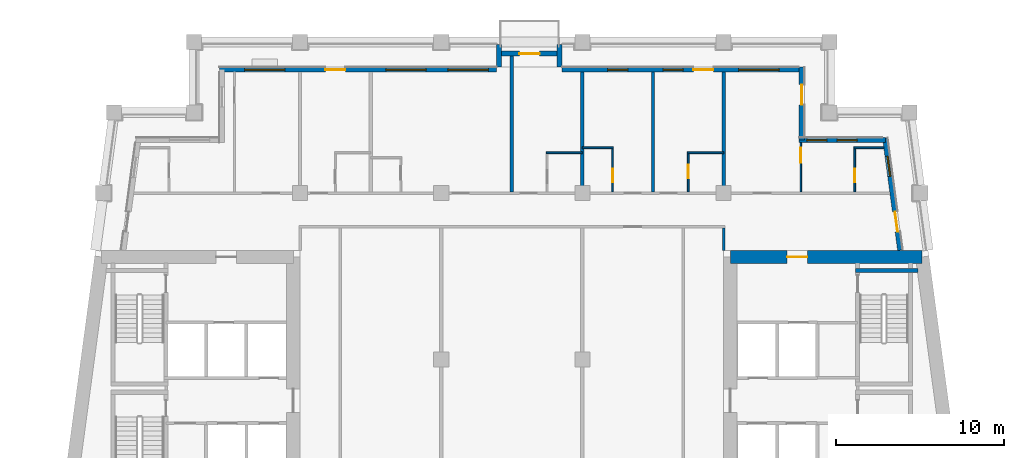
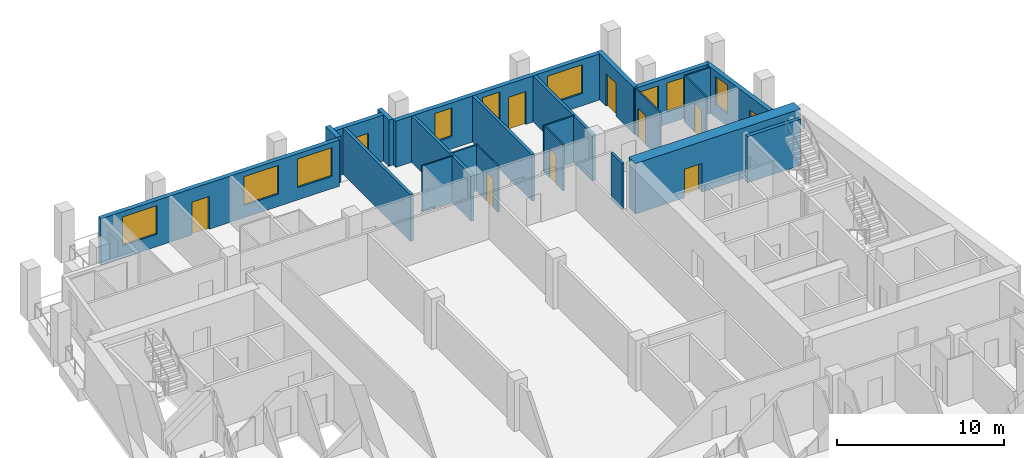
# One storey, part 7 of 13: 23 walls, 10 doors, 9 windows, 19 openings.
"""IFC4 building model written with IfcOpenShell, lengths in metres."""

from ifc_helpers import new_model, si_unit, direction, frame, frame_2d, origin, place, context, subcontext, project, spatial, rectangle, extrude, material, layer, layer_set, type_object, element, fill, save


model = new_model("IFC4")

# Units and contexts
model_context = context("Model", 3, precision=1e-05, world=origin(), true_north=direction((0.0, 1.0)))
body_context = subcontext(model_context, "Body", "Model", "MODEL_VIEW")
ifc_project = project(units=[si_unit("LENGTHUNIT", "METRE"), si_unit("AREAUNIT", "SQUARE_METRE"), si_unit("VOLUMEUNIT", "CUBIC_METRE"), si_unit("PLANEANGLEUNIT", "RADIAN"), si_unit("MASSUNIT", "GRAM", prefix="KILO")], contexts=[model_context])

# Site, building, storey
site_placement = place(None, origin())
site = spatial("IfcSite", under=ifc_project, at=site_placement, CompositionType="ELEMENT")
building_placement = place(site_placement, origin())
building = spatial("IfcBuilding", under=site, at=building_placement, Name="Candeia Pilgrim Tower and Theatre", CompositionType="ELEMENT")
storey_placement = place(building_placement, frame((0.0, 0.0, 205.89990234375)))
storey = spatial("IfcBuildingStorey", under=building, at=storey_placement, Name="L49", CompositionType="ELEMENT", Elevation=205.89990234375)

# Wall, opening, door
ifc_material_1 = material(Name="Concrete C50/60", Category="concrete")
ifc_layer_1 = layer(ifc_material_1, 0.800048828125)
ifc_layer_set_1 = layer_set([ifc_layer_1], Name="Core wall 800 C50/60")
wall_type_1 = type_object("IfcWallType", Name="Core wall 800 C50/60", PredefinedType="SHEAR", material=ifc_layer_set_1)
wall_1_placement = place(storey_placement, frame((126.39990234375, 132.0, 0.0), z_axis=(0.0, 0.0, 1.0), x_axis=(1.0, 0.0, 0.0)))
wall_1 = element("IfcWall", 1, at=wall_1_placement, inside=storey, type_object=wall_type_1, Name="Core wall E1", PredefinedType="SHEAR", context=body_context, shape_type="SweptSolid", body=[
    extrude(rectangle(XDim=11.419677734375, YDim=0.800048828125, at=frame_2d((5.7099609375, 0.0))), origin(), (0.0, 0.0, 1.0), 3.7001953125),
])
opening_1_placement = place(wall_1_placement, frame((3.386474609375, 0.0, 0.0)))
opening_1 = element("IfcOpeningElement", 2, at=opening_1_placement, cuts=wall_1, Name="Opening L49-D064", PredefinedType="OPENING", context=body_context, shape_type="SweptSolid", body=[
    extrude(rectangle(XDim=1.199951171875, YDim=2.10009765625, at=frame_2d((0.60009765625, 1.050048828125))), frame((0.0, 0.41015625, 0.0), z_axis=(0.0, -1.0, 0.0), x_axis=(1.0, 0.0, 0.0)), (0.0, 0.0, 1.0), 0.820068359375),
])
ifc_material_2 = material(Name="Steel fire door set", Category="steel")
door_type_1 = type_object("IfcDoorType", Name="D-1200-FD60", OperationType="NOTDEFINED", PredefinedType="DOOR", material=ifc_material_2)
door_1_placement = place(opening_1_placement, origin())
door_1 = element("IfcDoor", 3, at=door_1_placement, inside=storey, type_object=door_type_1, Name="Door L49-D064", OperationType="SINGLE_SWING_LEFT", OverallHeight=2.10009765625, OverallWidth=1.199951171875, PredefinedType="DOOR", context=body_context, shape_type="SweptSolid", body=[
    extrude(rectangle(XDim=1.199951171875, YDim=2.10009765625, at=frame_2d((0.60009765625, 1.050048828125))), frame((0.0, 0.02490234375, 0.0), z_axis=(0.0, -1.0, 0.0), x_axis=(1.0, 0.0, 0.0)), (0.0, 0.0, 1.0), 0.050048828125),
])
fill(opening_1, door_1)

# Wall, openings, door, window
ifc_material_3 = material(Name="Ceramic block masonry", Category="masonry")
ifc_layer_2 = layer(ifc_material_3, 0.300048828125)
ifc_layer_set_2 = layer_set([ifc_layer_2], Name="EW1 glazing-line wall 300")
wall_type_2 = type_object("IfcWallType", Name="EW1 glazing-line wall 300", PredefinedType="SOLIDWALL", material=ifc_layer_set_2)
wall_2_placement = place(storey_placement, frame((136.50439453125, 132.39990234375, 0.0), z_axis=(0.0, 0.0, 1.0), x_axis=(-0.133399697462, 0.99106231929, 0.0)))
wall_2 = element("IfcWall", 4, at=wall_2_placement, inside=storey, type_object=wall_type_2, Name="External wall L49-3.1", PredefinedType="SOLIDWALL", context=body_context, shape_type="SweptSolid", body=[
    extrude(rectangle(XDim=6.740478515625, YDim=0.300048828125, at=frame_2d((3.3701171875, 0.0))), origin(), (0.0, 0.0, 1.0), 3.380126953125),
])
opening_2_placement = place(wall_2_placement, frame((1.115234375, 0.0, 0.0)))
opening_2 = element("IfcOpeningElement", 5, at=opening_2_placement, cuts=wall_2, Name="Opening L49-ED465", PredefinedType="OPENING", context=body_context, shape_type="SweptSolid", body=[
    extrude(rectangle(XDim=1.199951171875, YDim=2.39990234375, at=frame_2d((0.60009765625, 1.199951171875))), frame((0.0, 0.16015625, 0.0), z_axis=(0.0, -1.0, 0.0), x_axis=(1.0, 0.0, 0.0)), (0.0, 0.0, 1.0), 0.320068359375),
])
opening_3_placement = place(wall_2_placement, frame((4.435546875, 0.0, 0.89990234375)))
opening_3 = element("IfcOpeningElement", 6, at=opening_3_placement, cuts=wall_2, Name="Opening W-B", PredefinedType="OPENING", context=body_context, shape_type="SweptSolid", body=[
    extrude(rectangle(XDim=1.199951171875, YDim=2.10009765625, at=frame_2d((0.60009765625, 1.050048828125))), frame((0.0, 0.16015625, 0.0), z_axis=(0.0, -1.0, 0.0), x_axis=(1.0, 0.0, 0.0)), (0.0, 0.0, 1.0), 0.320068359375),
])
ifc_material_4 = material(Name="Aluminium framed glazed door", Category="aluminium")
door_type_2 = type_object("IfcDoorType", Name="Loggia door 1200x2400", OperationType="DOUBLE_DOOR_SINGLE_SWING", PredefinedType="DOOR", material=ifc_material_4)
door_2_placement = place(opening_2_placement, origin())
door_2 = element("IfcDoor", 7, at=door_2_placement, inside=storey, type_object=door_type_2, Name="Loggia door L49-ED465", OperationType="DOUBLE_DOOR_SINGLE_SWING", OverallHeight=2.39990234375, OverallWidth=1.199951171875, PredefinedType="DOOR", context=body_context, shape_type="SweptSolid", body=[
    extrude(rectangle(XDim=1.199951171875, YDim=2.39990234375, at=frame_2d((0.60009765625, 1.199951171875))), frame((0.0, 0.02490234375, 0.0), z_axis=(0.0, -1.0, 0.0), x_axis=(1.0, 0.0, 0.0)), (0.0, 0.0, 1.0), 0.050048828125),
])
fill(opening_2, door_2)
ifc_material_5 = material(Name="Aluminium framed double glazing", Category="aluminium")
window_type_1 = type_object("IfcWindowType", Name="W-B window 1200x2100", PartitioningType="SINGLE_PANEL", PredefinedType="WINDOW", material=ifc_material_5)
window_1_placement = place(opening_3_placement, origin())
window_1 = element("IfcWindow", 8, at=window_1_placement, inside=storey, type_object=window_type_1, Name="Window W-B L49", OverallHeight=2.10009765625, OverallWidth=1.199951171875, PartitioningType="SINGLE_PANEL", PredefinedType="WINDOW", context=body_context, shape_type="SweptSolid", body=[
    extrude(rectangle(XDim=1.199951171875, YDim=2.10009765625, at=frame_2d((0.60009765625, 1.050048828125))), frame((0.0, 0.030029296875, 0.0), z_axis=(0.0, -1.0, 0.0), x_axis=(1.0, 0.0, 0.0)), (0.0, 0.0, 1.0), 0.06005859375),
])
fill(opening_3, window_1)

# Wall, openings, windows
wall_3_placement = place(storey_placement, frame((135.62255859375, 138.949951171875, 0.0), z_axis=(0.0, 0.0, 1.0), x_axis=(-1.0, 0.0, 0.0)))
wall_3 = element("IfcWall", 9, at=wall_3_placement, inside=storey, type_object=wall_type_2, Name="External wall L49-4.0", PredefinedType="SOLIDWALL", context=body_context, shape_type="SweptSolid", body=[
    extrude(rectangle(XDim=5.12255859375, YDim=0.300048828125, at=frame_2d((2.561279296875, 0.0))), origin(), (0.0, 0.0, 1.0), 3.380126953125),
])
opening_4_placement = place(wall_3_placement, frame((1.672607421875, 0.0, 0.89990234375)))
opening_4 = element("IfcOpeningElement", 10, at=opening_4_placement, cuts=wall_3, Name="Opening W-B", PredefinedType="OPENING", context=body_context, shape_type="SweptSolid", body=[
    extrude(rectangle(XDim=1.199951171875, YDim=2.10009765625, at=frame_2d((0.60009765625, 1.050048828125))), frame((0.0, 0.16015625, 0.0), z_axis=(0.0, -1.0, 0.0), x_axis=(1.0, 0.0, 0.0)), (0.0, 0.0, 1.0), 0.320068359375),
])
opening_5_placement = place(wall_3_placement, frame((3.47265625, 0.0, 0.89990234375)))
opening_5 = element("IfcOpeningElement", 11, at=opening_5_placement, cuts=wall_3, Name="Opening W-B", PredefinedType="OPENING", context=body_context, shape_type="SweptSolid", body=[
    extrude(rectangle(XDim=1.199951171875, YDim=2.10009765625, at=frame_2d((0.60009765625, 1.050048828125))), frame((0.0, 0.16015625, 0.0), z_axis=(0.0, -1.0, 0.0), x_axis=(1.0, 0.0, 0.0)), (0.0, 0.0, 1.0), 0.320068359375),
])
window_2_placement = place(opening_4_placement, origin())
window_2 = element("IfcWindow", 12, at=window_2_placement, inside=storey, type_object=window_type_1, Name="Window W-B L49", OverallHeight=2.10009765625, OverallWidth=1.199951171875, PartitioningType="SINGLE_PANEL", PredefinedType="WINDOW", context=body_context, shape_type="SweptSolid", body=[
    extrude(rectangle(XDim=1.199951171875, YDim=2.10009765625, at=frame_2d((0.60009765625, 1.050048828125))), frame((0.0, 0.030029296875, 0.0), z_axis=(0.0, -1.0, 0.0), x_axis=(1.0, 0.0, 0.0)), (0.0, 0.0, 1.0), 0.06005859375),
])
fill(opening_4, window_2)
window_3_placement = place(opening_5_placement, origin())
window_3 = element("IfcWindow", 13, at=window_3_placement, inside=storey, type_object=window_type_1, Name="Window W-B L49", OverallHeight=2.10009765625, OverallWidth=1.199951171875, PartitioningType="SINGLE_PANEL", PredefinedType="WINDOW", context=body_context, shape_type="SweptSolid", body=[
    extrude(rectangle(XDim=1.199951171875, YDim=2.10009765625, at=frame_2d((0.60009765625, 1.050048828125))), frame((0.0, 0.030029296875, 0.0), z_axis=(0.0, -1.0, 0.0), x_axis=(1.0, 0.0, 0.0)), (0.0, 0.0, 1.0), 0.06005859375),
])
fill(opening_5, window_3)

# Wall, opening, door
wall_4_placement = place(storey_placement, frame((130.64990234375, 138.949951171875, 0.0), z_axis=(0.0, 0.0, 1.0), x_axis=(0.0, 1.0, 0.0)))
wall_4 = element("IfcWall", 14, at=wall_4_placement, inside=storey, type_object=wall_type_2, Name="External wall L49-5.0", PredefinedType="SOLIDWALL", context=body_context, shape_type="SweptSolid", body=[
    extrude(rectangle(XDim=4.35009765625, YDim=0.300048828125, at=frame_2d((2.175048828125, 0.0))), origin(), (0.0, 0.0, 1.0), 3.380126953125),
])
opening_6_placement = place(wall_4_placement, frame((2.10009765625, 0.0, 0.0)))
opening_6 = element("IfcOpeningElement", 15, at=opening_6_placement, cuts=wall_4, Name="Opening L49-ED466", PredefinedType="OPENING", context=body_context, shape_type="SweptSolid", body=[
    extrude(rectangle(XDim=1.199951171875, YDim=2.39990234375, at=frame_2d((0.60009765625, 1.199951171875))), frame((0.0, 0.16015625, 0.0), z_axis=(0.0, -1.0, 0.0), x_axis=(1.0, 0.0, 0.0)), (0.0, 0.0, 1.0), 0.320068359375),
])
door_3_placement = place(opening_6_placement, origin())
door_3 = element("IfcDoor", 16, at=door_3_placement, inside=storey, type_object=door_type_2, Name="Loggia door L49-ED466", OperationType="DOUBLE_DOOR_SINGLE_SWING", OverallHeight=2.39990234375, OverallWidth=1.199951171875, PredefinedType="DOOR", context=body_context, shape_type="SweptSolid", body=[
    extrude(rectangle(XDim=1.199951171875, YDim=2.39990234375, at=frame_2d((0.60009765625, 1.199951171875))), frame((0.0, 0.02490234375, 0.0), z_axis=(0.0, -1.0, 0.0), x_axis=(1.0, 0.0, 0.0)), (0.0, 0.0, 1.0), 0.050048828125),
])
fill(opening_6, door_3)

# Wall, openings, door, windows
wall_5_placement = place(storey_placement, frame((130.64990234375, 143.14990234375, 0.0), z_axis=(0.0, 0.0, 1.0), x_axis=(-1.0, 0.0, 0.0)))
wall_5 = element("IfcWall", 17, at=wall_5_placement, inside=storey, type_object=wall_type_2, Name="External wall L49-6.0", PredefinedType="SOLIDWALL", context=body_context, shape_type="SweptSolid", body=[
    extrude(rectangle(XDim=14.25, YDim=0.300048828125, at=frame_2d((7.125, 0.0))), origin(), (0.0, 0.0, 1.0), 3.380126953125),
])
opening_7_placement = place(wall_5_placement, frame((1.35009765625, 0.0, 0.89990234375)))
opening_7 = element("IfcOpeningElement", 18, at=opening_7_placement, cuts=wall_5, Name="Opening W-A", PredefinedType="OPENING", context=body_context, shape_type="SweptSolid", body=[
    extrude(rectangle(XDim=2.39990234375, YDim=2.10009765625, at=frame_2d((1.199951171875, 1.050048828125))), frame((0.0, 0.16015625, 0.0), z_axis=(0.0, -1.0, 0.0), x_axis=(1.0, 0.0, 0.0)), (0.0, 0.0, 1.0), 0.320068359375),
])
opening_8_placement = place(wall_5_placement, frame((5.25, 0.0, 0.0)))
opening_8 = element("IfcOpeningElement", 19, at=opening_8_placement, cuts=wall_5, Name="Opening L49-ED467", PredefinedType="OPENING", context=body_context, shape_type="SweptSolid", body=[
    extrude(rectangle(XDim=1.199951171875, YDim=2.39990234375, at=frame_2d((0.60009765625, 1.199951171875))), frame((0.0, 0.16015625, 0.0), z_axis=(0.0, -1.0, 0.0), x_axis=(1.0, 0.0, 0.0)), (0.0, 0.0, 1.0), 0.320068359375),
])
opening_9_placement = place(wall_5_placement, frame((7.050048828125, 0.0, 0.89990234375)))
opening_9 = element("IfcOpeningElement", 20, at=opening_9_placement, cuts=wall_5, Name="Opening W-B", PredefinedType="OPENING", context=body_context, shape_type="SweptSolid", body=[
    extrude(rectangle(XDim=1.199951171875, YDim=2.10009765625, at=frame_2d((0.60009765625, 1.050048828125))), frame((0.0, 0.16015625, 0.0), z_axis=(0.0, -1.0, 0.0), x_axis=(1.0, 0.0, 0.0)), (0.0, 0.0, 1.0), 0.320068359375),
])
opening_10_placement = place(wall_5_placement, frame((10.35009765625, 0.0, 0.89990234375)))
opening_10 = element("IfcOpeningElement", 21, at=opening_10_placement, cuts=wall_5, Name="Opening W-B", PredefinedType="OPENING", context=body_context, shape_type="SweptSolid", body=[
    extrude(rectangle(XDim=1.199951171875, YDim=2.10009765625, at=frame_2d((0.60009765625, 1.050048828125))), frame((0.0, 0.16015625, 0.0), z_axis=(0.0, -1.0, 0.0), x_axis=(1.0, 0.0, 0.0)), (0.0, 0.0, 1.0), 0.320068359375),
])
door_4_placement = place(opening_8_placement, origin())
door_4 = element("IfcDoor", 22, at=door_4_placement, inside=storey, type_object=door_type_2, Name="Loggia door L49-ED467", OperationType="DOUBLE_DOOR_SINGLE_SWING", OverallHeight=2.39990234375, OverallWidth=1.199951171875, PredefinedType="DOOR", context=body_context, shape_type="SweptSolid", body=[
    extrude(rectangle(XDim=1.199951171875, YDim=2.39990234375, at=frame_2d((0.60009765625, 1.199951171875))), frame((0.0, 0.02490234375, 0.0), z_axis=(0.0, -1.0, 0.0), x_axis=(1.0, 0.0, 0.0)), (0.0, 0.0, 1.0), 0.050048828125),
])
fill(opening_8, door_4)
window_type_2 = type_object("IfcWindowType", Name="W-A window 2400x2100", PartitioningType="DOUBLE_PANEL_VERTICAL", PredefinedType="WINDOW", material=ifc_material_5)
window_4_placement = place(opening_7_placement, origin())
window_4 = element("IfcWindow", 23, at=window_4_placement, inside=storey, type_object=window_type_2, Name="Window W-A L49", OverallHeight=2.10009765625, OverallWidth=2.39990234375, PartitioningType="SINGLE_PANEL", PredefinedType="WINDOW", context=body_context, shape_type="SweptSolid", body=[
    extrude(rectangle(XDim=2.39990234375, YDim=2.10009765625, at=frame_2d((1.199951171875, 1.050048828125))), frame((0.0, 0.030029296875, 0.0), z_axis=(0.0, -1.0, 0.0), x_axis=(1.0, 0.0, 0.0)), (0.0, 0.0, 1.0), 0.06005859375),
])
fill(opening_7, window_4)
window_5_placement = place(opening_9_placement, origin())
window_5 = element("IfcWindow", 24, at=window_5_placement, inside=storey, type_object=window_type_1, Name="Window W-B L49", OverallHeight=2.10009765625, OverallWidth=1.199951171875, PartitioningType="SINGLE_PANEL", PredefinedType="WINDOW", context=body_context, shape_type="SweptSolid", body=[
    extrude(rectangle(XDim=1.199951171875, YDim=2.10009765625, at=frame_2d((0.60009765625, 1.050048828125))), frame((0.0, 0.030029296875, 0.0), z_axis=(0.0, -1.0, 0.0), x_axis=(1.0, 0.0, 0.0)), (0.0, 0.0, 1.0), 0.06005859375),
])
fill(opening_9, window_5)
window_6_placement = place(opening_10_placement, origin())
window_6 = element("IfcWindow", 25, at=window_6_placement, inside=storey, type_object=window_type_1, Name="Window W-B L49", OverallHeight=2.10009765625, OverallWidth=1.199951171875, PartitioningType="SINGLE_PANEL", PredefinedType="WINDOW", context=body_context, shape_type="SweptSolid", body=[
    extrude(rectangle(XDim=1.199951171875, YDim=2.10009765625, at=frame_2d((0.60009765625, 1.050048828125))), frame((0.0, 0.030029296875, 0.0), z_axis=(0.0, -1.0, 0.0), x_axis=(1.0, 0.0, 0.0)), (0.0, 0.0, 1.0), 0.06005859375),
])
fill(opening_10, window_6)

wall_6_placement = place(storey_placement, frame((112.5, 143.14990234375, 0.0), z_axis=(0.0, 0.0, 1.0), x_axis=(-1.0, 0.0, 0.0)))
wall_6 = element("IfcWall", 26, at=wall_6_placement, inside=storey, type_object=wall_type_2, Name="External wall L49-6.1", PredefinedType="SOLIDWALL", context=body_context, shape_type="SweptSolid", body=[
    extrude(rectangle(XDim=16.5, YDim=0.300048828125, at=frame_2d((8.25, 0.0))), origin(), (0.0, 0.0, 1.0), 3.380126953125),
])
opening_11_placement = place(wall_6_placement, frame((0.5, 0.0, 0.89990234375)))
opening_11 = element("IfcOpeningElement", 27, at=opening_11_placement, cuts=wall_6, Name="Opening W-A", PredefinedType="OPENING", context=body_context, shape_type="SweptSolid", body=[
    extrude(rectangle(XDim=2.39990234375, YDim=2.10009765625, at=frame_2d((1.199951171875, 1.050048828125))), frame((0.0, 0.16015625, 0.0), z_axis=(0.0, -1.0, 0.0), x_axis=(1.0, 0.0, 0.0)), (0.0, 0.0, 1.0), 0.320068359375),
])
opening_12_placement = place(wall_6_placement, frame((4.199951171875, 0.0, 0.89990234375)))
opening_12 = element("IfcOpeningElement", 28, at=opening_12_placement, cuts=wall_6, Name="Opening W-A", PredefinedType="OPENING", context=body_context, shape_type="SweptSolid", body=[
    extrude(rectangle(XDim=2.39990234375, YDim=2.10009765625, at=frame_2d((1.199951171875, 1.050048828125))), frame((0.0, 0.16015625, 0.0), z_axis=(0.0, -1.0, 0.0), x_axis=(1.0, 0.0, 0.0)), (0.0, 0.0, 1.0), 0.320068359375),
])
opening_13_placement = place(wall_6_placement, frame((9.0, 0.0, 0.0)))
opening_13 = element("IfcOpeningElement", 29, at=opening_13_placement, cuts=wall_6, Name="Opening L49-ED468", PredefinedType="OPENING", context=body_context, shape_type="SweptSolid", body=[
    extrude(rectangle(XDim=1.199951171875, YDim=2.39990234375, at=frame_2d((0.60009765625, 1.199951171875))), frame((0.0, 0.16015625, 0.0), z_axis=(0.0, -1.0, 0.0), x_axis=(1.0, 0.0, 0.0)), (0.0, 0.0, 1.0), 0.320068359375),
])
opening_14_placement = place(wall_6_placement, frame((12.60009765625, 0.0, 0.89990234375)))
opening_14 = element("IfcOpeningElement", 30, at=opening_14_placement, cuts=wall_6, Name="Opening W-A", PredefinedType="OPENING", context=body_context, shape_type="SweptSolid", body=[
    extrude(rectangle(XDim=2.39990234375, YDim=2.10009765625, at=frame_2d((1.199951171875, 1.050048828125))), frame((0.0, 0.16015625, 0.0), z_axis=(0.0, -1.0, 0.0), x_axis=(1.0, 0.0, 0.0)), (0.0, 0.0, 1.0), 0.320068359375),
])
door_5_placement = place(opening_13_placement, origin())
door_5 = element("IfcDoor", 31, at=door_5_placement, inside=storey, type_object=door_type_2, Name="Loggia door L49-ED468", OperationType="DOUBLE_DOOR_SINGLE_SWING", OverallHeight=2.39990234375, OverallWidth=1.199951171875, PredefinedType="DOOR", context=body_context, shape_type="SweptSolid", body=[
    extrude(rectangle(XDim=1.199951171875, YDim=2.39990234375, at=frame_2d((0.60009765625, 1.199951171875))), frame((0.0, 0.02490234375, 0.0), z_axis=(0.0, -1.0, 0.0), x_axis=(1.0, 0.0, 0.0)), (0.0, 0.0, 1.0), 0.050048828125),
])
fill(opening_13, door_5)
window_7_placement = place(opening_11_placement, origin())
window_7 = element("IfcWindow", 32, at=window_7_placement, inside=storey, type_object=window_type_2, Name="Window W-A L49", OverallHeight=2.10009765625, OverallWidth=2.39990234375, PartitioningType="SINGLE_PANEL", PredefinedType="WINDOW", context=body_context, shape_type="SweptSolid", body=[
    extrude(rectangle(XDim=2.39990234375, YDim=2.10009765625, at=frame_2d((1.199951171875, 1.050048828125))), frame((0.0, 0.030029296875, 0.0), z_axis=(0.0, -1.0, 0.0), x_axis=(1.0, 0.0, 0.0)), (0.0, 0.0, 1.0), 0.06005859375),
])
fill(opening_11, window_7)
window_8_placement = place(opening_12_placement, origin())
window_8 = element("IfcWindow", 33, at=window_8_placement, inside=storey, type_object=window_type_2, Name="Window W-A L49", OverallHeight=2.10009765625, OverallWidth=2.39990234375, PartitioningType="SINGLE_PANEL", PredefinedType="WINDOW", context=body_context, shape_type="SweptSolid", body=[
    extrude(rectangle(XDim=2.39990234375, YDim=2.10009765625, at=frame_2d((1.199951171875, 1.050048828125))), frame((0.0, 0.030029296875, 0.0), z_axis=(0.0, -1.0, 0.0), x_axis=(1.0, 0.0, 0.0)), (0.0, 0.0, 1.0), 0.06005859375),
])
fill(opening_12, window_8)
window_9_placement = place(opening_14_placement, origin())
window_9 = element("IfcWindow", 34, at=window_9_placement, inside=storey, type_object=window_type_2, Name="Window W-A L49", OverallHeight=2.10009765625, OverallWidth=2.39990234375, PartitioningType="SINGLE_PANEL", PredefinedType="WINDOW", context=body_context, shape_type="SweptSolid", body=[
    extrude(rectangle(XDim=2.39990234375, YDim=2.10009765625, at=frame_2d((1.199951171875, 1.050048828125))), frame((0.0, 0.030029296875, 0.0), z_axis=(0.0, -1.0, 0.0), x_axis=(1.0, 0.0, 0.0)), (0.0, 0.0, 1.0), 0.06005859375),
])
fill(opening_14, window_9)

# Walls
ifc_layer_3 = layer(ifc_material_3, 0.300048828125)
ifc_layer_set_3 = layer_set([ifc_layer_3], Name="EW2 entrance infill wall 300")
wall_type_3 = type_object("IfcWallType", Name="EW2 entrance infill wall 300", PredefinedType="SOLIDWALL", material=ifc_layer_set_3)
for number, where, z_axis, x_axis, name in (
    (35, (116.25, 143.300048828125, 0.0), (0.0, 0.0, 1.0), (0.0, 1.0, 0.0), "Alcove wall L49"),
    (36, (112.64990234375, 143.300048828125, 0.0), (0.0, 0.0, 1.0), (0.0, 1.0, 0.0), "Alcove wall L49"),
):
    element("IfcWall", number, at=place(storey_placement, frame(where, z_axis=z_axis, x_axis=x_axis)), inside=storey, type_object=wall_type_3, Name=name, PredefinedType="SOLIDWALL", context=body_context, shape_type="SweptSolid", body=[
        extrude(rectangle(XDim=1.349853515625, YDim=0.300048828125, at=frame_2d((0.6748046875, 0.0))), origin(), (0.0, 0.0, 1.0), 3.380126953125),
    ])

# Wall, opening, door
wall_7_placement = place(storey_placement, frame((116.39990234375, 144.10009765625, 0.0), z_axis=(0.0, 0.0, 1.0), x_axis=(-1.0, 0.0, 0.0)))
wall_7 = element("IfcWall", 37, at=wall_7_placement, inside=storey, type_object=wall_type_3, Name="Alcove wall L49", PredefinedType="SOLIDWALL", context=body_context, shape_type="SweptSolid", body=[
    extrude(rectangle(XDim=3.89990234375, YDim=0.300048828125, at=frame_2d((1.949951171875, 0.0))), origin(), (0.0, 0.0, 1.0), 3.380126953125),
])
opening_15_placement = place(wall_7_placement, frame((1.35009765625, 0.0, 0.0)))
opening_15 = element("IfcOpeningElement", 38, at=opening_15_placement, cuts=wall_7, Name="Opening L49-ED469", PredefinedType="OPENING", context=body_context, shape_type="SweptSolid", body=[
    extrude(rectangle(XDim=1.199951171875, YDim=2.39990234375, at=frame_2d((0.60009765625, 1.199951171875))), frame((0.0, 0.16015625, 0.0), z_axis=(0.0, -1.0, 0.0), x_axis=(1.0, 0.0, 0.0)), (0.0, 0.0, 1.0), 0.320068359375),
])
door_6_placement = place(opening_15_placement, origin())
door_6 = element("IfcDoor", 39, at=door_6_placement, inside=storey, type_object=door_type_2, Name="Balcony door L49-ED469", OperationType="DOUBLE_DOOR_SINGLE_SWING", OverallHeight=2.39990234375, OverallWidth=1.199951171875, PredefinedType="DOOR", context=body_context, shape_type="SweptSolid", body=[
    extrude(rectangle(XDim=1.199951171875, YDim=2.39990234375, at=frame_2d((0.60009765625, 1.199951171875))), frame((0.0, 0.02490234375, 0.0), z_axis=(0.0, -1.0, 0.0), x_axis=(1.0, 0.0, 0.0)), (0.0, 0.0, 1.0), 0.050048828125),
])
fill(opening_15, door_6)

# Walls
ifc_material_6 = material(Name="Gypsum board partition on steel studs", Category="steel")
ifc_layer_4 = layer(ifc_material_6, 0.10009765625)
ifc_layer_set_4 = layer_set([ifc_layer_4], Name="PW-100 room partition")
wall_type_4 = type_object("IfcWallType", Name="PW-100 room partition", PredefinedType="PARTITIONING", material=ifc_layer_set_4)
wall_8_placement = place(storey_placement, frame((115.449951171875, 138.199951171875, 0.0), z_axis=(0.0, 0.0, 1.0), x_axis=(1.0, 0.0, 0.0)))
element("IfcWall", 40, at=wall_8_placement, inside=storey, type_object=wall_type_4, Name="Room partition L49-046", PredefinedType="PARTITIONING", context=body_context, shape_type="SweptSolid", body=[
    extrude(rectangle(XDim=2.150146484375, YDim=0.10009765625, at=frame_2d((1.0751953125, 0.0))), origin(), (0.0, 0.0, 1.0), 3.380126953125),
])
wall_9_placement = place(storey_placement, frame((123.85009765625, 138.199951171875, 0.0), z_axis=(0.0, 0.0, 1.0), x_axis=(1.0, 0.0, 0.0)))
element("IfcWall", 41, at=wall_9_placement, inside=storey, type_object=wall_type_4, Name="Room partition L49-047", PredefinedType="PARTITIONING", context=body_context, shape_type="SweptSolid", body=[
    extrude(rectangle(XDim=2.14990234375, YDim=0.10009765625, at=frame_2d((1.074951171875, 0.0))), origin(), (0.0, 0.0, 1.0), 3.380126953125),
])
wall_10_placement = place(storey_placement, frame((117.60009765625, 138.5, 0.0), z_axis=(0.0, 0.0, 1.0), x_axis=(1.0, 0.0, 0.0)))
element("IfcWall", 42, at=wall_10_placement, inside=storey, type_object=wall_type_4, Name="Room partition L49-049", PredefinedType="PARTITIONING", context=body_context, shape_type="SweptSolid", body=[
    extrude(rectangle(XDim=1.849853515625, YDim=0.10009765625, at=frame_2d((0.9248046875, 0.0))), origin(), (0.0, 0.0, 1.0), 3.380126953125),
])
wall_11_placement = place(storey_placement, frame((133.75, 138.5, 0.0), z_axis=(0.0, 0.0, 1.0), x_axis=(1.0, 0.0, 0.0)))
element("IfcWall", 43, at=wall_11_placement, inside=storey, type_object=wall_type_4, Name="Room partition L49-050", PredefinedType="PARTITIONING", context=body_context, shape_type="SweptSolid", body=[
    extrude(rectangle(XDim=1.7919921875, YDim=0.10009765625, at=frame_2d((0.89599609375, 0.0))), origin(), (0.0, 0.0, 1.0), 3.380126953125),
])

# Wall, opening, door
wall_12_placement = place(storey_placement, frame((119.39990234375, 135.875, 0.0), z_axis=(0.0, 0.0, 1.0), x_axis=(0.0, 1.0, 0.0)))
wall_12 = element("IfcWall", 44, at=wall_12_placement, inside=storey, type_object=wall_type_4, Name="Room partition L49-096", PredefinedType="PARTITIONING", context=body_context, shape_type="SweptSolid", body=[
    extrude(rectangle(XDim=2.574951171875, YDim=0.10009765625, at=frame_2d((1.28759765625, 0.0))), origin(), (0.0, 0.0, 1.0), 3.380126953125),
])
opening_16_placement = place(wall_12_placement, frame((0.574951171875, 0.0, 0.0)))
opening_16 = element("IfcOpeningElement", 45, at=opening_16_placement, cuts=wall_12, Name="Opening L49-D049", PredefinedType="OPENING", context=body_context, shape_type="SweptSolid", body=[
    extrude(rectangle(XDim=0.800048828125, YDim=2.10009765625, at=frame_2d((0.39990234375, 1.050048828125))), frame((0.0, 0.06005859375, 0.0), z_axis=(0.0, -1.0, 0.0), x_axis=(1.0, 0.0, 0.0)), (0.0, 0.0, 1.0), 0.1201171875),
])
ifc_material_7 = material(Name="Timber door leaf", Category="wood")
door_type_3 = type_object("IfcDoorType", Name="D-800", OperationType="NOTDEFINED", PredefinedType="DOOR", material=ifc_material_7)
door_7_placement = place(opening_16_placement, origin())
door_7 = element("IfcDoor", 46, at=door_7_placement, inside=storey, type_object=door_type_3, Name="Door L49-D049", OperationType="SINGLE_SWING_RIGHT", OverallHeight=2.10009765625, OverallWidth=0.800048828125, PredefinedType="DOOR", context=body_context, shape_type="SweptSolid", body=[
    extrude(rectangle(XDim=0.800048828125, YDim=2.10009765625, at=frame_2d((0.39990234375, 1.050048828125))), frame((0.0, 0.02490234375, 0.0), z_axis=(0.0, -1.0, 0.0), x_axis=(1.0, 0.0, 0.0)), (0.0, 0.0, 1.0), 0.050048828125),
])
fill(opening_16, door_7)

wall_13_placement = place(storey_placement, frame((123.89990234375, 135.875, 0.0), z_axis=(0.0, 0.0, 1.0), x_axis=(0.0, 1.0, 0.0)))
wall_13 = element("IfcWall", 47, at=wall_13_placement, inside=storey, type_object=wall_type_4, Name="Room partition L49-101", PredefinedType="PARTITIONING", context=body_context, shape_type="SweptSolid", body=[
    extrude(rectangle(XDim=2.27490234375, YDim=0.10009765625, at=frame_2d((1.137451171875, 0.0))), origin(), (0.0, 0.0, 1.0), 3.380126953125),
])
opening_17_placement = place(wall_13_placement, frame((0.81494140625, 0.0, 0.0)))
opening_17 = element("IfcOpeningElement", 48, at=opening_17_placement, cuts=wall_13, Name="Opening L49-D051", PredefinedType="OPENING", context=body_context, shape_type="SweptSolid", body=[
    extrude(rectangle(XDim=0.800048828125, YDim=2.10009765625, at=frame_2d((0.39990234375, 1.050048828125))), frame((0.0, 0.06005859375, 0.0), z_axis=(0.0, -1.0, 0.0), x_axis=(1.0, 0.0, 0.0)), (0.0, 0.0, 1.0), 0.1201171875),
])
door_8_placement = place(opening_17_placement, origin())
door_8 = element("IfcDoor", 49, at=door_8_placement, inside=storey, type_object=door_type_3, Name="Door L49-D051", OperationType="SINGLE_SWING_RIGHT", OverallHeight=2.10009765625, OverallWidth=0.800048828125, PredefinedType="DOOR", context=body_context, shape_type="SweptSolid", body=[
    extrude(rectangle(XDim=0.800048828125, YDim=2.10009765625, at=frame_2d((0.39990234375, 1.050048828125))), frame((0.0, 0.02490234375, 0.0), z_axis=(0.0, -1.0, 0.0), x_axis=(1.0, 0.0, 0.0)), (0.0, 0.0, 1.0), 0.050048828125),
])
fill(opening_17, door_8)

wall_14_placement = place(storey_placement, frame((130.60009765625, 135.875, 0.0), z_axis=(0.0, 0.0, 1.0), x_axis=(0.0, 1.0, 0.0)))
wall_14 = element("IfcWall", 50, at=wall_14_placement, inside=storey, type_object=wall_type_4, Name="Room partition L49-111", PredefinedType="PARTITIONING", context=body_context, shape_type="SweptSolid", body=[
    extrude(rectangle(XDim=2.93505859375, YDim=0.10009765625, at=frame_2d((1.467529296875, 0.0))), origin(), (0.0, 0.0, 1.0), 3.380126953125),
])
opening_18_placement = place(wall_14_placement, frame((1.719970703125, 0.0, 0.0)))
opening_18 = element("IfcOpeningElement", 51, at=opening_18_placement, cuts=wall_14, Name="Opening L49-D053", PredefinedType="OPENING", context=body_context, shape_type="SweptSolid", body=[
    extrude(rectangle(XDim=0.89990234375, YDim=2.10009765625, at=frame_2d((0.449951171875, 1.050048828125))), frame((0.0, 0.06005859375, 0.0), z_axis=(0.0, -1.0, 0.0), x_axis=(1.0, 0.0, 0.0)), (0.0, 0.0, 1.0), 0.1201171875),
])
door_type_4 = type_object("IfcDoorType", Name="D-900", OperationType="NOTDEFINED", PredefinedType="DOOR", material=ifc_material_7)
door_9_placement = place(opening_18_placement, origin())
door_9 = element("IfcDoor", 52, at=door_9_placement, inside=storey, type_object=door_type_4, Name="Door L49-D053", OperationType="SINGLE_SWING_RIGHT", OverallHeight=2.10009765625, OverallWidth=0.89990234375, PredefinedType="DOOR", context=body_context, shape_type="SweptSolid", body=[
    extrude(rectangle(XDim=0.89990234375, YDim=2.10009765625, at=frame_2d((0.449951171875, 1.050048828125))), frame((0.0, 0.02490234375, 0.0), z_axis=(0.0, -1.0, 0.0), x_axis=(1.0, 0.0, 0.0)), (0.0, 0.0, 1.0), 0.050048828125),
])
fill(opening_18, door_9)

wall_15_placement = place(storey_placement, frame((133.800048828125, 135.875, 0.0), z_axis=(0.0, 0.0, 1.0), x_axis=(0.0, 1.0, 0.0)))
wall_15 = element("IfcWall", 53, at=wall_15_placement, inside=storey, type_object=wall_type_4, Name="Room partition L49-117", PredefinedType="PARTITIONING", context=body_context, shape_type="SweptSolid", body=[
    extrude(rectangle(XDim=2.574951171875, YDim=0.10009765625, at=frame_2d((1.28759765625, 0.0))), origin(), (0.0, 0.0, 1.0), 3.380126953125),
])
opening_19_placement = place(wall_15_placement, frame((0.574951171875, 0.0, 0.0)))
opening_19 = element("IfcOpeningElement", 54, at=opening_19_placement, cuts=wall_15, Name="Opening L49-D054", PredefinedType="OPENING", context=body_context, shape_type="SweptSolid", body=[
    extrude(rectangle(XDim=0.800048828125, YDim=2.10009765625, at=frame_2d((0.39990234375, 1.050048828125))), frame((0.0, 0.06005859375, 0.0), z_axis=(0.0, -1.0, 0.0), x_axis=(1.0, 0.0, 0.0)), (0.0, 0.0, 1.0), 0.1201171875),
])
door_10_placement = place(opening_19_placement, origin())
door_10 = element("IfcDoor", 55, at=door_10_placement, inside=storey, type_object=door_type_3, Name="Door L49-D054", OperationType="SINGLE_SWING_LEFT", OverallHeight=2.10009765625, OverallWidth=0.800048828125, PredefinedType="DOOR", context=body_context, shape_type="SweptSolid", body=[
    extrude(rectangle(XDim=0.800048828125, YDim=2.10009765625, at=frame_2d((0.39990234375, 1.050048828125))), frame((0.0, 0.02490234375, 0.0), z_axis=(0.0, -1.0, 0.0), x_axis=(1.0, 0.0, 0.0)), (0.0, 0.0, 1.0), 0.050048828125),
])
fill(opening_19, door_10)

# Walls
ifc_layer_5 = layer(ifc_material_6, 0.14990234375)
ifc_layer_set_5 = layer_set([ifc_layer_5], Name="PW-150 unit wall")
wall_type_5 = type_object("IfcWallType", Name="PW-150 unit wall", PredefinedType="PARTITIONING", material=ifc_layer_set_5)
wall_16_placement = place(storey_placement, frame((126.0, 132.39990234375, 0.0), z_axis=(0.0, 0.0, 1.0), x_axis=(0.0, 1.0, 0.0)))
element("IfcWall", 56, at=wall_16_placement, inside=storey, type_object=wall_type_5, Name="Unit wall L49-106", PredefinedType="PARTITIONING", context=body_context, shape_type="SweptSolid", body=[
    extrude(rectangle(XDim=1.3251953125, YDim=0.14990234375, at=frame_2d((0.66259765625, 0.0))), origin(), (0.0, 0.0, 1.0), 3.380126953125),
])
ifc_layer_6 = layer(ifc_material_6, 0.199951171875)
ifc_layer_set_6 = layer_set([ifc_layer_6], Name="PW-200 party wall")
wall_type_6 = type_object("IfcWallType", Name="PW-200 party wall", PredefinedType="PARTITIONING", material=ifc_layer_set_6)
wall_17_placement = place(storey_placement, frame((113.39990234375, 135.875, 0.0), z_axis=(0.0, 0.0, 1.0), x_axis=(0.0, 1.0, 0.0)))
element("IfcWall", 57, at=wall_17_placement, inside=storey, type_object=wall_type_6, Name="Party wall L49-089", PredefinedType="PARTITIONING", context=body_context, shape_type="SweptSolid", body=[
    extrude(rectangle(XDim=8.0849609375, YDim=0.199951171875, at=frame_2d((4.04248046875, 0.0))), origin(), (0.0, 0.0, 1.0), 3.380126953125),
])
for number, where, z_axis, x_axis, name in (
    (58, (117.60009765625, 135.875, 0.0), (0.0, 0.0, 1.0), (0.0, 1.0, 0.0), "Party wall L49-094"),
    (59, (121.800048828125, 135.875, 0.0), (0.0, 0.0, 1.0), (0.0, 1.0, 0.0), "Party wall L49-099"),
    (60, (126.0, 135.875, 0.0), (0.0, 0.0, 1.0), (0.0, 1.0, 0.0), "Party wall L49-104"),
):
    element("IfcWall", number, at=place(storey_placement, frame(where, z_axis=z_axis, x_axis=x_axis)), inside=storey, type_object=wall_type_6, Name=name, PredefinedType="PARTITIONING", context=body_context, shape_type="SweptSolid", body=[
        extrude(rectangle(XDim=7.135009765625, YDim=0.199951171875, at=frame_2d((3.5673828125, 0.0))), origin(), (0.0, 0.0, 1.0), 3.380126953125),
    ])
ifc_material_8 = material(Name="Concrete C40/50", Category="concrete")
ifc_layer_7 = layer(ifc_material_8, 0.25)
ifc_layer_set_7 = layer_set([ifc_layer_7], Name="SW-250 stair wall")
wall_type_7 = type_object("IfcWallType", Name="SW-250 stair wall", PredefinedType="PARTITIONING", material=ifc_layer_set_7)
wall_18_placement = place(storey_placement, frame((133.847900390625, 131.199951171875, 0.0), z_axis=(0.0, 0.0, 1.0), x_axis=(1.0, 0.0, 0.0)))
element("IfcWall", 61, at=wall_18_placement, inside=storey, type_object=wall_type_7, Name="Stair wall L49-041", PredefinedType="PARTITIONING", context=body_context, shape_type="SweptSolid", body=[
    extrude(rectangle(XDim=3.705810546875, YDim=0.25, at=frame_2d((1.85302734375, 0.0))), origin(), (0.0, 0.0, 1.0), 3.380126953125),
])

save(model, "model.ifc")
